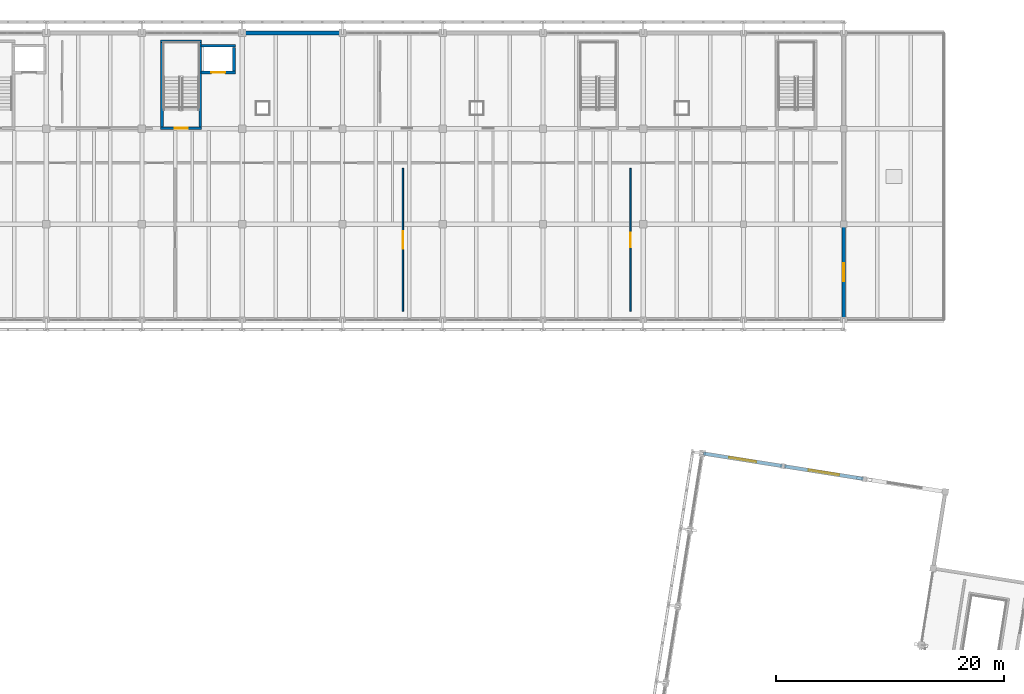
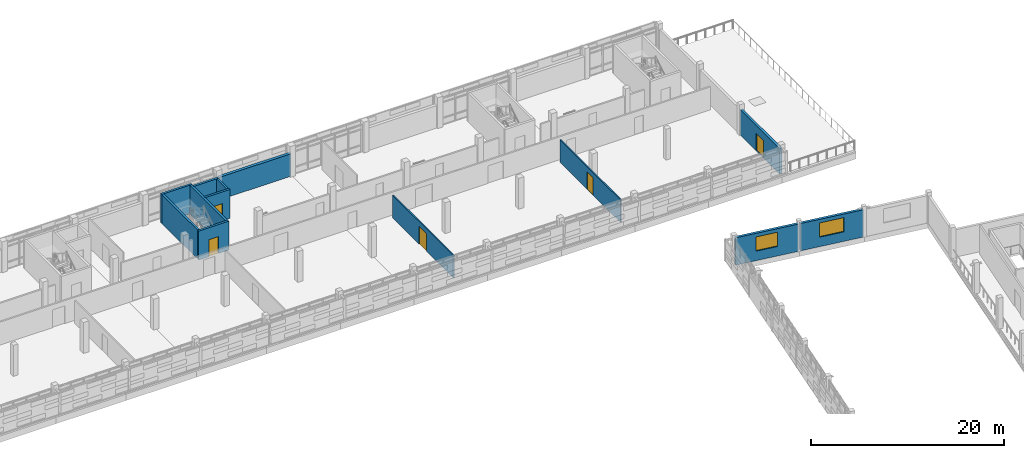
# One storey, part 99 of 117: 13 walls, 5 doors, 2 windows, 7 openings.
"""IFC4 building model written with IfcOpenShell, lengths in metres."""

from ifc_helpers import new_model, si_unit, direction, frame, frame_2d, origin, place, context, subcontext, project, spatial, rectangle, extrude, material, layer, layer_set, type_object, element, fill, save


model = new_model("IFC4")

# Units and contexts
model_context = context("Model", 3, precision=1e-05, world=origin(), true_north=direction((0.0, 1.0)))
body_context = subcontext(model_context, "Body", "Model", "MODEL_VIEW")
ifc_project = project(units=[si_unit("LENGTHUNIT", "METRE"), si_unit("AREAUNIT", "SQUARE_METRE"), si_unit("VOLUMEUNIT", "CUBIC_METRE"), si_unit("PLANEANGLEUNIT", "RADIAN"), si_unit("MASSUNIT", "GRAM", prefix="KILO")], contexts=[model_context])

# Site, building, storey
site_placement = place(None, origin())
site = spatial("IfcSite", under=ifc_project, at=site_placement, CompositionType="ELEMENT")
building_placement = place(site_placement, origin())
building = spatial("IfcBuilding", under=site, at=building_placement, Name="Cinderway Yard Community Centre", CompositionType="ELEMENT")
storey_placement = place(building_placement, frame((0.0, 0.0, 9.0)))
storey = spatial("IfcBuildingStorey", under=building, at=storey_placement, Name="L02", CompositionType="ELEMENT", Elevation=9.0)

# Wall, opening, window
ifc_material_1 = material(Name="Brick Masonry", Category="masonry")
ifc_layer_1 = layer(ifc_material_1, 0.300048828125, Name="Brick Masonry")
ifc_layer_set_1 = layer_set([ifc_layer_1], Name="Brick Masonry")
wall_type_1 = type_object("IfcWallType", Name="ENV-WAL-EXT300", PredefinedType="SOLIDWALL", material=ifc_layer_set_1)
wall_1_placement = place(storey_placement, frame((124.48095703125, 78.281982421875, 0.0), z_axis=(0.0, 0.0, 1.0), x_axis=(0.987690751091, -0.156419245009, 0.0)))
wall_1 = element("IfcWall", 1, at=wall_1_placement, inside=storey, type_object=wall_type_1, Name="Sports North End Wall ENV-WAL-L02-0079", PredefinedType="SOLIDWALL", context=body_context, shape_type="SweptSolid", body=[
    extrude(rectangle(XDim=7.000244140625, YDim=0.300048828125, at=frame_2d((3.5, 0.0))), origin(), (0.0, 0.0, 1.0), 3.449951171875),
])
opening_1_placement = place(wall_1_placement, frame((2.300048828125, 0.0, 1.199951171875)))
opening_1 = element("IfcOpeningElement", 2, at=opening_1_placement, cuts=wall_1, Name="Opening W-10", PredefinedType="OPENING", context=body_context, shape_type="SweptSolid", body=[
    extrude(rectangle(XDim=2.39990234375, YDim=1.800048828125, at=frame_2d((1.199951171875, 0.89990234375))), frame((0.0, 0.159912109375, 0.0), z_axis=(0.0, -1.0, 0.0), x_axis=(1.0, 0.0, 0.0)), (0.0, 0.0, 1.0), 0.320068359375),
])
ifc_material_2 = material(Name="Laminated Low-E Glass", Category="glass")
window_type_1 = type_object("IfcWindowType", Name="ENV-WIN-W10", PartitioningType="TRIPLE_PANEL_VERTICAL", PredefinedType="WINDOW", material=ifc_material_2)
window_1_placement = place(opening_1_placement, origin())
window_1 = element("IfcWindow", 3, at=window_1_placement, inside=storey, type_object=window_type_1, Name="Exterior window ENV-WIN-L02-0056", OverallHeight=1.800048828125, OverallWidth=2.39990234375, PartitioningType="SINGLE_PANEL", PredefinedType="WINDOW", context=body_context, shape_type="SweptSolid", body=[
    extrude(rectangle(XDim=2.39990234375, YDim=1.800048828125, at=frame_2d((1.199951171875, 0.89990234375))), frame((0.0, 0.030029296875, 0.0), z_axis=(0.0, -1.0, 0.0), x_axis=(1.0, 0.0, 0.0)), (0.0, 0.0, 1.0), 0.06005859375),
])
fill(opening_1, window_1)

wall_2_placement = place(storey_placement, frame((131.593017578125, 77.156005859375, 0.0), z_axis=(0.0, 0.0, 1.0), x_axis=(0.987687337136, -0.156440800503, 0.0)))
wall_2 = element("IfcWall", 4, at=wall_2_placement, inside=storey, type_object=wall_type_1, Name="Sports North End Wall ENV-WAL-L02-0080", PredefinedType="SOLIDWALL", context=body_context, shape_type="SweptSolid", body=[
    extrude(rectangle(XDim=6.999267578125, YDim=0.300048828125, at=frame_2d((3.49951171875, 0.0))), origin(), (0.0, 0.0, 1.0), 3.449951171875),
])
opening_2_placement = place(wall_2_placement, frame((2.14990234375, 0.0, 1.199951171875)))
opening_2 = element("IfcOpeningElement", 5, at=opening_2_placement, cuts=wall_2, Name="Opening W-11", PredefinedType="OPENING", context=body_context, shape_type="SweptSolid", body=[
    extrude(rectangle(XDim=2.699951171875, YDim=1.800048828125, at=frame_2d((1.35009765625, 0.89990234375))), frame((0.0, 0.159912109375, 0.0), z_axis=(0.0, -1.0, 0.0), x_axis=(1.0, 0.0, 0.0)), (0.0, 0.0, 1.0), 0.320068359375),
])
window_type_2 = type_object("IfcWindowType", Name="ENV-WIN-W11", PartitioningType="TRIPLE_PANEL_VERTICAL", PredefinedType="WINDOW", material=ifc_material_2)
window_2_placement = place(opening_2_placement, origin())
window_2 = element("IfcWindow", 6, at=window_2_placement, inside=storey, type_object=window_type_2, Name="Exterior window ENV-WIN-L02-0057", OverallHeight=1.800048828125, OverallWidth=2.699951171875, PartitioningType="SINGLE_PANEL", PredefinedType="WINDOW", context=body_context, shape_type="SweptSolid", body=[
    extrude(rectangle(XDim=2.699951171875, YDim=1.800048828125, at=frame_2d((1.35009765625, 0.89990234375))), frame((0.0, 0.030029296875, 0.0), z_axis=(0.0, -1.0, 0.0), x_axis=(1.0, 0.0, 0.0)), (0.0, 0.0, 1.0), 0.06005859375),
])
fill(opening_2, window_2)

# Wall, opening, door
wall_3_placement = place(storey_placement, frame((136.800048828125, 90.10009765625, 0.0), z_axis=(0.0, 0.0, 1.0), x_axis=(0.0, 1.0, 0.0)))
wall_3 = element("IfcWall", 7, at=wall_3_placement, inside=storey, type_object=wall_type_1, Name="V4 East End Wall ENV-WAL-L02-0163", PredefinedType="SOLIDWALL", context=body_context, shape_type="SweptSolid", body=[
    extrude(rectangle(XDim=8.199951171875, YDim=0.300048828125, at=frame_2d((4.10009765625, 0.0))), origin(), (0.0, 0.0, 1.0), 3.195068359375),
])
opening_3_placement = place(wall_3_placement, frame((3.300048828125, 0.0, 0.0)))
opening_3 = element("IfcOpeningElement", 8, at=opening_3_placement, cuts=wall_3, Name="Opening D-TR1", PredefinedType="OPENING", context=body_context, shape_type="SweptSolid", body=[
    extrude(rectangle(XDim=1.60009765625, YDim=2.199951171875, at=frame_2d((0.800048828125, 1.10009765625))), frame((0.0, 0.159912109375, 0.0), z_axis=(0.0, -1.0, 0.0), x_axis=(1.0, 0.0, 0.0)), (0.0, 0.0, 1.0), 0.320068359375),
])
ifc_material_3 = material(Name="Aluminium 6063-T6", Category="aluminium")
door_type_1 = type_object("IfcDoorType", Name="INT-DOR-TER160", OperationType="DOUBLE_DOOR_SINGLE_SWING", PredefinedType="DOOR", material=ifc_material_3)
door_1_placement = place(opening_3_placement, origin())
door_1 = element("IfcDoor", 9, at=door_1_placement, inside=storey, type_object=door_type_1, Name="V4 Classroom L02 East Terrace Door EXT-DOR-L02-0087", OperationType="DOUBLE_DOOR_SINGLE_SWING", OverallHeight=2.199951171875, OverallWidth=1.60009765625, PredefinedType="DOOR", context=body_context, shape_type="SweptSolid", body=[
    extrude(rectangle(XDim=1.60009765625, YDim=2.199951171875, at=frame_2d((0.800048828125, 1.10009765625))), frame((0.0, 0.02490234375, 0.0), z_axis=(0.0, -1.0, 0.0), x_axis=(1.0, 0.0, 0.0)), (0.0, 0.0, 1.0), 0.050048828125),
])
fill(opening_3, door_1)

# Wall
ifc_layer_2 = layer(ifc_material_1, 0.340087890625, Name="Brick Masonry")
ifc_layer_set_2 = layer_set([ifc_layer_2], Name="Brick Masonry")
wall_type_2 = type_object("IfcWallType", Name="ENV-WAL-EXT340", PredefinedType="SOLIDWALL", material=ifc_layer_set_2)
wall_4_placement = place(storey_placement, frame((84.10009765625, 115.199951171875, 0.0), z_axis=(0.0, 0.0, 1.0), x_axis=(1.0, 0.0, 0.0)))
element("IfcWall", 10, at=wall_4_placement, inside=storey, type_object=wall_type_2, Name="V4 Street Brick Facade Wall ENV-WAL-L02-0158", PredefinedType="SOLIDWALL", context=body_context, shape_type="SweptSolid", body=[
    extrude(rectangle(XDim=8.599853515625, YDim=0.340087890625, at=frame_2d((4.2998046875, 0.0))), origin(), (0.0, 0.0, 1.0), 2.844970703125),
])

# Wall, opening, door
ifc_material_4 = material(Name="Gypsum Board Partition", Category="gypsum")
ifc_layer_3 = layer(ifc_material_4, 0.139892578125, Name="Gypsum Board Partition")
ifc_layer_set_3 = layer_set([ifc_layer_3], Name="Gypsum Board Partition")
wall_type_3 = type_object("IfcWallType", Name="INT-WAL-PRT140", PredefinedType="PARTITIONING", material=ifc_layer_set_3)
wall_5_placement = place(storey_placement, frame((98.10009765625, 90.75, 0.0), z_axis=(0.0, 0.0, 1.0), x_axis=(0.0, 1.0, 0.0)))
wall_5 = element("IfcWall", 11, at=wall_5_placement, inside=storey, type_object=wall_type_3, Name="V4 L02 South Room Partition INT-PRT-L02-0312", PredefinedType="PARTITIONING", context=body_context, shape_type="SweptSolid", body=[
    extrude(rectangle(XDim=12.550048828125, YDim=0.139892578125, at=frame_2d((6.27490234375, 0.0))), origin(), (0.0, 0.0, 1.0), 2.844970703125),
])
opening_4_placement = place(wall_5_placement, frame((5.52490234375, 0.0, 0.0)))
opening_4 = element("IfcOpeningElement", 12, at=opening_4_placement, cuts=wall_5, Name="Opening D-13", PredefinedType="OPENING", context=body_context, shape_type="SweptSolid", body=[
    extrude(rectangle(XDim=1.5, YDim=2.25, at=frame_2d((0.75, 1.125))), frame((0.0, 0.079833984375, 0.0), z_axis=(0.0, -1.0, 0.0), x_axis=(1.0, 0.0, 0.0)), (0.0, 0.0, 1.0), 0.159912109375),
])
ifc_material_5 = material(Name="Painted Galvanised Steel", Category="steel")
door_type_2 = type_object("IfcDoorType", Name="INT-DOR-PLT150", OperationType="DOUBLE_DOOR_SINGLE_SWING", PredefinedType="DOOR", material=ifc_material_5)
door_2_placement = place(opening_4_placement, origin())
door_2 = element("IfcDoor", 13, at=door_2_placement, inside=storey, type_object=door_type_2, Name="Room door INT-DOR-L02-0226", OperationType="DOUBLE_DOOR_SINGLE_SWING", OverallHeight=2.25, OverallWidth=1.5, PredefinedType="DOOR", context=body_context, shape_type="SweptSolid", body=[
    extrude(rectangle(XDim=1.5, YDim=2.25, at=frame_2d((0.75, 1.125))), frame((0.0, 0.02490234375, 0.0), z_axis=(0.0, -1.0, 0.0), x_axis=(1.0, 0.0, 0.0)), (0.0, 0.0, 1.0), 0.050048828125),
])
fill(opening_4, door_2)

wall_6_placement = place(storey_placement, frame((118.10009765625, 90.75, 0.0), z_axis=(0.0, 0.0, 1.0), x_axis=(0.0, 1.0, 0.0)))
wall_6 = element("IfcWall", 14, at=wall_6_placement, inside=storey, type_object=wall_type_3, Name="V4 L02 South Room Partition INT-PRT-L02-0313", PredefinedType="PARTITIONING", context=body_context, shape_type="SweptSolid", body=[
    extrude(rectangle(XDim=12.550048828125, YDim=0.139892578125, at=frame_2d((6.27490234375, 0.0))), origin(), (0.0, 0.0, 1.0), 2.844970703125),
])
opening_5_placement = place(wall_6_placement, frame((5.655029296875, 0.0, 0.0)))
opening_5 = element("IfcOpeningElement", 15, at=opening_5_placement, cuts=wall_6, Name="Opening D-14", PredefinedType="OPENING", context=body_context, shape_type="SweptSolid", body=[
    extrude(rectangle(XDim=1.239990234375, YDim=2.199951171875, at=frame_2d((0.6201171875, 1.10009765625))), frame((0.0, 0.079833984375, 0.0), z_axis=(0.0, -1.0, 0.0), x_axis=(1.0, 0.0, 0.0)), (0.0, 0.0, 1.0), 0.159912109375),
])
ifc_material_6 = material(Name="Hardwood Timber", Category="wood")
door_type_3 = type_object("IfcDoorType", Name="INT-DOR-STU124", OperationType="NOTDEFINED", PredefinedType="DOOR", material=ifc_material_6)
door_3_placement = place(opening_5_placement, origin())
door_3 = element("IfcDoor", 16, at=door_3_placement, inside=storey, type_object=door_type_3, Name="Room door INT-DOR-L02-0227", OperationType="SINGLE_SWING_LEFT", OverallHeight=2.199951171875, OverallWidth=1.239990234375, PredefinedType="DOOR", context=body_context, shape_type="SweptSolid", body=[
    extrude(rectangle(XDim=1.239990234375, YDim=2.199951171875, at=frame_2d((0.6201171875, 1.10009765625))), frame((0.0, 0.02490234375, 0.0), z_axis=(0.0, -1.0, 0.0), x_axis=(1.0, 0.0, 0.0)), (0.0, 0.0, 1.0), 0.050048828125),
])
fill(opening_5, door_3)

ifc_material_7 = material(Name="Concrete C40/50", Category="concrete")
ifc_layer_4 = layer(ifc_material_7, 0.25, Name="Concrete C40/50")
ifc_layer_set_4 = layer_set([ifc_layer_4], Name="Concrete C40/50")
wall_type_4 = type_object("IfcWallType", Name="INT-WAL-SHR250", PredefinedType="SHEAR", material=ifc_layer_set_4)
wall_7_placement = place(storey_placement, frame((80.445068359375, 106.830078125, 0.0), z_axis=(0.0, 0.0, 1.0), x_axis=(-1.0, 0.0, 0.0)))
wall_7 = element("IfcWall", 17, at=wall_7_placement, inside=storey, type_object=wall_type_4, Name="Stair ST-02 Entry Wall INT-WAL-L02-0051", PredefinedType="SHEAR", context=body_context, shape_type="SweptSolid", body=[
    extrude(rectangle(XDim=3.610107421875, YDim=0.25, at=frame_2d((1.80517578125, 0.0))), origin(), (0.0, 0.0, 1.0), 3.659912109375),
])
opening_6_placement = place(wall_7_placement, frame((1.235107421875, 0.0, 0.0)))
opening_6 = element("IfcOpeningElement", 18, at=opening_6_placement, cuts=wall_7, Name="Opening D-ST2", PredefinedType="OPENING", context=body_context, shape_type="SweptSolid", body=[
    extrude(rectangle(XDim=1.139892578125, YDim=2.14990234375, at=frame_2d((0.56982421875, 1.074951171875))), frame((0.0, 0.135009765625, 0.0), z_axis=(0.0, -1.0, 0.0), x_axis=(1.0, 0.0, 0.0)), (0.0, 0.0, 1.0), 0.27001953125),
])
door_type_4 = type_object("IfcDoorType", Name="INT-DOR-ST114", OperationType="NOTDEFINED", PredefinedType="DOOR", material=ifc_material_5)
door_4_placement = place(opening_6_placement, origin())
door_4 = element("IfcDoor", 19, at=door_4_placement, inside=storey, type_object=door_type_4, Name="Core door INT-DOR-L02-0015", OperationType="SINGLE_SWING_LEFT", OverallHeight=2.14990234375, OverallWidth=1.139892578125, PredefinedType="DOOR", context=body_context, shape_type="SweptSolid", body=[
    extrude(rectangle(XDim=1.139892578125, YDim=2.14990234375, at=frame_2d((0.56982421875, 1.074951171875))), frame((0.0, 0.02490234375, 0.0), z_axis=(0.0, -1.0, 0.0), x_axis=(1.0, 0.0, 0.0)), (0.0, 0.0, 1.0), 0.050048828125),
])
fill(opening_6, door_4)

# Walls
wall_8_placement = place(storey_placement, frame((76.8349609375, 114.469970703125, 0.0), z_axis=(0.0, 0.0, 1.0), x_axis=(1.0, 0.0, 0.0)))
element("IfcWall", 20, at=wall_8_placement, inside=storey, type_object=wall_type_4, Name="Stair ST-02 Back Wall INT-WAL-L02-0052", PredefinedType="SHEAR", context=body_context, shape_type="SweptSolid", body=[
    extrude(rectangle(XDim=3.610107421875, YDim=0.25, at=frame_2d((1.80517578125, 0.0))), origin(), (0.0, 0.0, 1.0), 3.659912109375),
])
for number, where, z_axis, x_axis, name in (
    (21, (76.9599609375, 106.955078125, 0.0), (0.0, 0.0, 1.0), (0.0, 1.0, 0.0), "Stair ST-02 Side Wall L INT-WAL-L02-0053"),
    (22, (80.320068359375, 114.344970703125, 0.0), (0.0, 0.0, 1.0), (0.0, -1.0, 0.0), "Stair ST-02 Side Wall R INT-WAL-L02-0054"),
):
    element("IfcWall", number, at=place(storey_placement, frame(where, z_axis=z_axis, x_axis=x_axis)), inside=storey, type_object=wall_type_4, Name=name, PredefinedType="SHEAR", context=body_context, shape_type="SweptSolid", body=[
        extrude(rectangle(XDim=7.389892578125, YDim=0.25, at=frame_2d((3.69482421875, 0.0))), origin(), (0.0, 0.0, 1.0), 3.659912109375),
    ])

# Wall, opening, door
wall_9_placement = place(storey_placement, frame((80.39990234375, 111.72998046875, 0.0), z_axis=(0.0, 0.0, 1.0), x_axis=(1.0, 0.0, 0.0)))
wall_9 = element("IfcWall", 23, at=wall_9_placement, inside=storey, type_object=wall_type_4, Name="Lift LF-02 South Wall INT-WAL-L02-0073", PredefinedType="SHEAR", context=body_context, shape_type="SweptSolid", body=[
    extrude(rectangle(XDim=3.0, YDim=0.25, at=frame_2d((1.5, 0.0))), origin(), (0.0, 0.0, 1.0), 3.659912109375),
])
opening_7_placement = place(wall_9_placement, frame((0.889892578125, 0.0, 0.0)))
opening_7 = element("IfcOpeningElement", 24, at=opening_7_placement, cuts=wall_9, Name="Opening LD-02", PredefinedType="OPENING", context=body_context, shape_type="SweptSolid", body=[
    extrude(rectangle(XDim=1.219970703125, YDim=2.179931640625, at=frame_2d((0.60986328125, 1.08984375))), frame((0.0, 0.135009765625, 0.0), z_axis=(0.0, -1.0, 0.0), x_axis=(1.0, 0.0, 0.0)), (0.0, 0.0, 1.0), 0.27001953125),
])
door_type_5 = type_object("IfcDoorType", Name="INT-DOR-LD02", OperationType="SLIDING_TO_RIGHT", PredefinedType="DOOR", material=ifc_material_5)
door_5_placement = place(opening_7_placement, origin())
door_5 = element("IfcDoor", 25, at=door_5_placement, inside=storey, type_object=door_type_5, Name="Lift landing door INT-DOR-L02-0021", OperationType="SLIDING_TO_RIGHT", OverallHeight=2.179931640625, OverallWidth=1.219970703125, PredefinedType="DOOR", context=body_context, shape_type="SweptSolid", body=[
    extrude(rectangle(XDim=1.219970703125, YDim=2.179931640625, at=frame_2d((0.60986328125, 1.08984375))), frame((0.0, 0.02490234375, 0.0), z_axis=(0.0, -1.0, 0.0), x_axis=(1.0, 0.0, 0.0)), (0.0, 0.0, 1.0), 0.050048828125),
])
fill(opening_7, door_5)

# Walls
wall_10_placement = place(storey_placement, frame((83.39990234375, 114.070068359375, 0.0), z_axis=(0.0, 0.0, 1.0), x_axis=(-1.0, 0.0, 0.0)))
element("IfcWall", 26, at=wall_10_placement, inside=storey, type_object=wall_type_4, Name="Lift LF-02 North Wall INT-WAL-L02-0074", PredefinedType="SHEAR", context=body_context, shape_type="SweptSolid", body=[
    extrude(rectangle(XDim=3.0, YDim=0.25, at=frame_2d((1.5, 0.0))), origin(), (0.0, 0.0, 1.0), 3.659912109375),
])
wall_11_placement = place(storey_placement, frame((83.27001953125, 111.860107421875, 0.0), z_axis=(0.0, 0.0, 1.0), x_axis=(0.0, 1.0, 0.0)))
element("IfcWall", 27, at=wall_11_placement, inside=storey, type_object=wall_type_4, Name="Lift LF-02 East Wall INT-WAL-L02-0075", PredefinedType="SHEAR", context=body_context, shape_type="SweptSolid", body=[
    extrude(rectangle(XDim=2.079833984375, YDim=0.25, at=frame_2d((1.0400390625, 0.0))), origin(), (0.0, 0.0, 1.0), 3.659912109375),
])

save(model, "model.ifc")
